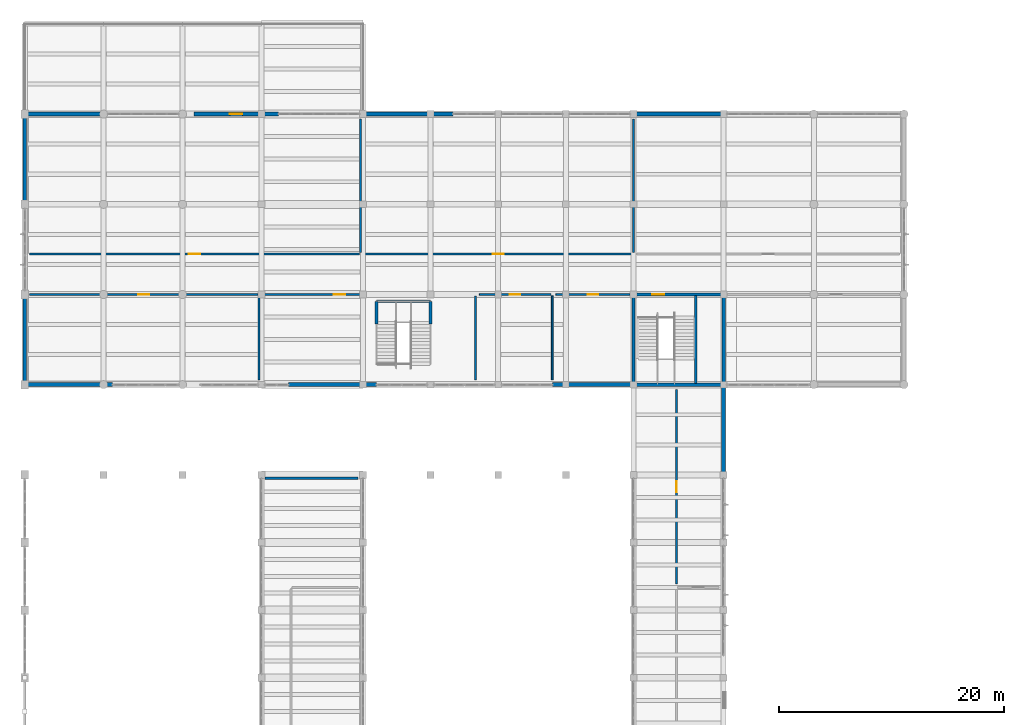
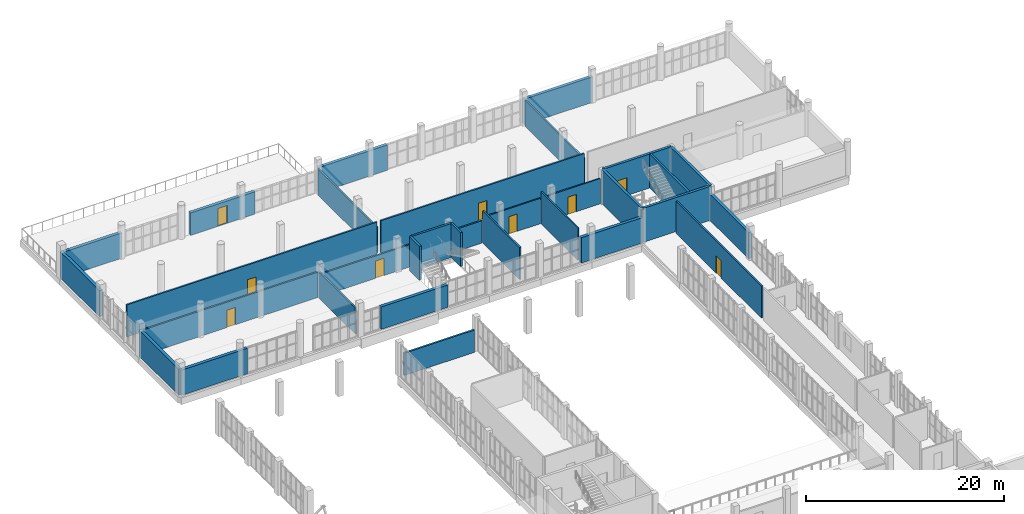
# One storey, part 66 of 85: 31 walls, 9 doors, 9 openings.
"""IFC4 building model written with IfcOpenShell, lengths in metres."""

from ifc_helpers import new_model, si_unit, direction, frame, frame_2d, origin, place, context, subcontext, project, spatial, rectangle, extrude, material, layer, layer_set, type_object, element, fill, save


model = new_model("IFC4")

# Units and contexts
model_context = context("Model", 3, precision=1e-05, world=origin(), true_north=direction((0.0, 1.0)))
body_context = subcontext(model_context, "Body", "Model", "MODEL_VIEW")
ifc_project = project(units=[si_unit("LENGTHUNIT", "METRE"), si_unit("AREAUNIT", "SQUARE_METRE"), si_unit("VOLUMEUNIT", "CUBIC_METRE"), si_unit("PLANEANGLEUNIT", "RADIAN"), si_unit("MASSUNIT", "GRAM", prefix="KILO")], contexts=[model_context])

# Site, building, storey
site_placement = place(None, origin())
site = spatial("IfcSite", under=ifc_project, at=site_placement, CompositionType="ELEMENT")
building_placement = place(site_placement, origin())
building = spatial("IfcBuilding", under=site, at=building_placement, Name="Solvane Community Centre", CompositionType="ELEMENT")
storey_placement = place(building_placement, frame((0.0, 0.0, 5.39990234375)))
storey = spatial("IfcBuildingStorey", under=building, at=storey_placement, Name="L01", CompositionType="ELEMENT", Elevation=5.39990234375)

# Walls
ifc_material_1 = material(Name="Gypsum board partition")
ifc_layer_1 = layer(ifc_material_1, 0.2099609375)
ifc_layer_set_1 = layer_set([ifc_layer_1], Name="Gypsum board partition")
wall_type_1 = type_object("IfcWallType", Name="Acoustic Partition 210mm [83x28dm]", PredefinedType="PARTITIONING", material=ifc_layer_set_1)
wall_1_placement = place(storey_placement, frame((35.580078125, 77.699951171875, 0.0), z_axis=(0.0, 0.0, 1.0), x_axis=(-1.0, 0.0, 0.0)))
element("IfcWall", 1, at=wall_1_placement, inside=storey, type_object=wall_type_1, Name="Interior Wall WL-INT-L01-0245", PredefinedType="PARTITIONING", context=body_context, shape_type="SweptSolid", body=[
    extrude(rectangle(XDim=8.260009765625, YDim=0.2099609375, at=frame_2d((4.1298828125, 0.0))), origin(), (0.0, 0.0, 1.0), 2.76513671875),
])
ifc_material_2 = material(Name="Precast concrete C35/45", Category="concrete")
ifc_layer_2 = layer(ifc_material_2, 0.35009765625)
ifc_layer_set_2 = layer_set([ifc_layer_2], Name="Precast concrete C35/45")
wall_type_2 = type_object("IfcWallType", Name="Art Deco Limestone Cavity Wall 350mm [70x31dm]", PredefinedType="SOLIDWALL", material=ifc_layer_set_2)
wall_2_placement = place(storey_placement, frame((6.0, 110.0, 0.0), z_axis=(0.0, 0.0, 1.0), x_axis=(1.0, 0.0, 0.0)))
element("IfcWall", 2, at=wall_2_placement, inside=storey, type_object=wall_type_2, Name="Exterior Wall WL-EXT-L01-0076", PredefinedType="SOLIDWALL", context=body_context, shape_type="SweptSolid", body=[
    extrude(rectangle(XDim=7.0, YDim=0.35009765625, at=frame_2d((3.5, 0.0))), origin(), (0.0, 0.0, 1.0), 3.135009765625),
])
ifc_layer_3 = layer(ifc_material_2, 0.35009765625)
ifc_layer_set_3 = layer_set([ifc_layer_3], Name="Precast concrete C35/45")
wall_type_3 = type_object("IfcWallType", Name="Art Deco Limestone Cavity Wall 350mm [72x31dm]", PredefinedType="SOLIDWALL", material=ifc_layer_set_3)
wall_3_placement = place(storey_placement, frame((60.0, 86.0, 0.0), z_axis=(0.0, 0.0, 1.0), x_axis=(-1.0, 0.0, 0.0)))
element("IfcWall", 3, at=wall_3_placement, inside=storey, type_object=wall_type_3, Name="Exterior Wall WL-EXT-L01-0084", PredefinedType="SOLIDWALL", context=body_context, shape_type="SweptSolid", body=[
    extrude(rectangle(XDim=7.199951171875, YDim=0.35009765625, at=frame_2d((3.60009765625, 0.0))), origin(), (0.0, 0.0, 1.0), 3.135009765625),
])

# Wall, opening, door
ifc_layer_4 = layer(ifc_material_2, 0.35009765625)
ifc_layer_set_4 = layer_set([ifc_layer_4], Name="Precast concrete C35/45")
wall_type_4 = type_object("IfcWallType", Name="Art Deco Limestone Cavity Wall 350mm [75x28dm]", PredefinedType="SOLIDWALL", material=ifc_layer_set_4)
wall_4_placement = place(storey_placement, frame((21.0, 110.0, 0.0), z_axis=(0.0, 0.0, 1.0), x_axis=(1.0, 0.0, 0.0)))
wall_4 = element("IfcWall", 4, at=wall_4_placement, inside=storey, type_object=wall_type_4, Name="Exterior Wall WL-EXT-L01-0077", PredefinedType="SOLIDWALL", context=body_context, shape_type="SweptSolid", body=[
    extrude(rectangle(XDim=7.5, YDim=0.35009765625, at=frame_2d((3.75, 0.0))), origin(), (0.0, 0.0, 1.0), 2.76513671875),
])
opening_1_placement = place(wall_4_placement, frame((3.199951171875, 0.0, 0.0)))
opening_1 = element("IfcOpeningElement", 5, at=opening_1_placement, cuts=wall_4, Name="Opening D04", PredefinedType="OPENING", context=body_context, shape_type="SweptSolid", body=[
    extrude(rectangle(XDim=1.10009765625, YDim=2.199951171875, at=frame_2d((0.550048828125, 1.10009765625))), frame((0.0, 0.18505859375, 0.0), z_axis=(0.0, -1.0, 0.0), x_axis=(1.0, 0.0, 0.0)), (0.0, 0.0, 1.0), 0.3701171875),
])
ifc_material_3 = material(Name="Anodised bronze aluminium AW-6063 T6", Category="aluminium")
door_type_1 = type_object("IfcDoorType", Name="Glazed Terrace Access Door 1100x2200", OperationType="NOTDEFINED", PredefinedType="DOOR", material=ifc_material_3)
door_1_placement = place(opening_1_placement, origin())
door_1 = element("IfcDoor", 6, at=door_1_placement, inside=storey, type_object=door_type_1, Name="L01-ED28", OperationType="SINGLE_SWING_LEFT", OverallHeight=2.199951171875, OverallWidth=1.10009765625, PredefinedType="DOOR", context=body_context, shape_type="SweptSolid", body=[
    extrude(rectangle(XDim=1.10009765625, YDim=2.199951171875, at=frame_2d((0.550048828125, 1.10009765625))), frame((0.0, 0.02490234375, 0.0), z_axis=(0.0, -1.0, 0.0), x_axis=(1.0, 0.0, 0.0)), (0.0, 0.0, 1.0), 0.050048828125),
])
fill(opening_1, door_1)

# Walls
ifc_layer_5 = layer(ifc_material_2, 0.35009765625)
ifc_layer_set_5 = layer_set([ifc_layer_5], Name="Precast concrete C35/45")
wall_type_5 = type_object("IfcWallType", Name="Art Deco Limestone Cavity Wall 350mm [78x28dm]", PredefinedType="SOLIDWALL", material=ifc_layer_set_5)
wall_5_placement = place(storey_placement, frame((37.199951171875, 86.0, 0.0), z_axis=(0.0, 0.0, 1.0), x_axis=(-1.0, 0.0, 0.0)))
element("IfcWall", 7, at=wall_5_placement, inside=storey, type_object=wall_type_5, Name="Exterior Wall WL-EXT-L01-0085", PredefinedType="SOLIDWALL", context=body_context, shape_type="SweptSolid", body=[
    extrude(rectangle(XDim=7.800048828125, YDim=0.35009765625, at=frame_2d((3.89990234375, 0.0))), origin(), (0.0, 0.0, 1.0), 2.76513671875),
])
ifc_layer_6 = layer(ifc_material_2, 0.35009765625)
ifc_layer_set_6 = layer_set([ifc_layer_6], Name="Precast concrete C35/45")
wall_type_6 = type_object("IfcWallType", Name="Art Deco Limestone Cavity Wall 350mm [78x31dm]", PredefinedType="SOLIDWALL", material=ifc_layer_set_6)
wall_6_placement = place(storey_placement, frame((13.800048828125, 86.0, 0.0), z_axis=(0.0, 0.0, 1.0), x_axis=(-1.0, 0.0, 0.0)))
element("IfcWall", 8, at=wall_6_placement, inside=storey, type_object=wall_type_6, Name="Exterior Wall WL-EXT-L01-0086", PredefinedType="SOLIDWALL", context=body_context, shape_type="SweptSolid", body=[
    extrude(rectangle(XDim=7.800048828125, YDim=0.35009765625, at=frame_2d((3.89990234375, 0.0))), origin(), (0.0, 0.0, 1.0), 3.135009765625),
])
ifc_layer_7 = layer(ifc_material_2, 0.35009765625)
ifc_layer_set_7 = layer_set([ifc_layer_7], Name="Precast concrete C35/45")
wall_type_7 = type_object("IfcWallType", Name="Art Deco Limestone Cavity Wall 350mm [80x31dm]", PredefinedType="SOLIDWALL", material=ifc_layer_set_7)
wall_7_placement = place(storey_placement, frame((36.0, 110.0, 0.0), z_axis=(0.0, 0.0, 1.0), x_axis=(1.0, 0.0, 0.0)))
element("IfcWall", 9, at=wall_7_placement, inside=storey, type_object=wall_type_7, Name="Exterior Wall WL-EXT-L01-0078", PredefinedType="SOLIDWALL", context=body_context, shape_type="SweptSolid", body=[
    extrude(rectangle(XDim=8.0, YDim=0.35009765625, at=frame_2d((4.0, 0.0))), origin(), (0.0, 0.0, 1.0), 3.135009765625),
])
ifc_layer_8 = layer(ifc_material_2, 0.35009765625)
ifc_layer_set_8 = layer_set([ifc_layer_8], Name="Precast concrete C35/45")
wall_type_8 = type_object("IfcWallType", Name="Art Deco Limestone Cavity Wall 350mm [80x32dm]", PredefinedType="SOLIDWALL", material=ifc_layer_set_8)
for number, where, z_axis, x_axis, name in (
    (10, (6.0, 86.0, 0.0), (0.0, 0.0, 1.0), (0.0, 1.0, 0.0), "Exterior Wall WL-EXT-L01-0074"),
    (11, (6.0, 102.0, 0.0), (0.0, 0.0, 1.0), (0.0, 1.0, 0.0), "Exterior Wall WL-EXT-L01-0075"),
):
    element("IfcWall", number, at=place(storey_placement, frame(where, z_axis=z_axis, x_axis=x_axis)), inside=storey, type_object=wall_type_8, Name=name, PredefinedType="SOLIDWALL", context=body_context, shape_type="SweptSolid", body=[
        extrude(rectangle(XDim=8.0, YDim=0.35009765625, at=frame_2d((4.0, 0.0))), origin(), (0.0, 0.0, 1.0), 3.22509765625),
    ])
wall_8_placement = place(storey_placement, frame((60.0, 110.0, 0.0), z_axis=(0.0, 0.0, 1.0), x_axis=(1.0, 0.0, 0.0)))
element("IfcWall", 12, at=wall_8_placement, inside=storey, type_object=wall_type_8, Name="Exterior Wall WL-EXT-L01-0079", PredefinedType="SOLIDWALL", context=body_context, shape_type="SweptSolid", body=[
    extrude(rectangle(XDim=8.0, YDim=0.35009765625, at=frame_2d((4.0, 0.0))), origin(), (0.0, 0.0, 1.0), 3.1650390625),
])
wall_9_placement = place(storey_placement, frame((68.0, 86.0, 0.0), z_axis=(0.0, 0.0, 1.0), x_axis=(0.0, -1.0, 0.0)))
element("IfcWall", 13, at=wall_9_placement, inside=storey, type_object=wall_type_8, Name="Exterior Wall WL-EXT-L01-0087", PredefinedType="SOLIDWALL", context=body_context, shape_type="SweptSolid", body=[
    extrude(rectangle(XDim=8.0, YDim=0.35009765625, at=frame_2d((4.0, 0.0))), origin(), (0.0, 0.0, 1.0), 3.22509765625),
])
ifc_layer_9 = layer(ifc_material_1, 0.179931640625)
ifc_layer_set_9 = layer_set([ifc_layer_9], Name="Gypsum board partition")
wall_type_9 = type_object("IfcWallType", Name="Protected Corridor Wall 180mm [119x32dm]", PredefinedType="PARTITIONING", material=ifc_layer_set_9)
for number, where, z_axis, x_axis, name in (
    (14, (35.800048828125, 97.719970703125, 0.0), (0.0, 0.0, 1.0), (0.0, 1.0, 0.0), "Interior Wall WL-INT-L01-0304"),
    (15, (60.0, 97.719970703125, 0.0), (0.0, 0.0, 1.0), (0.0, 1.0, 0.0), "Interior Wall WL-INT-L01-0306"),
):
    element("IfcWall", number, at=place(storey_placement, frame(where, z_axis=z_axis, x_axis=x_axis)), inside=storey, type_object=wall_type_9, Name=name, PredefinedType="PARTITIONING", context=body_context, shape_type="SweptSolid", body=[
        extrude(rectangle(XDim=11.860107421875, YDim=0.179931640625, at=frame_2d((5.93017578125, 0.0))), origin(), (0.0, 0.0, 1.0), 3.22509765625),
    ])

# Wall, opening, door
ifc_layer_10 = layer(ifc_material_1, 0.179931640625)
ifc_layer_set_10 = layer_set([ifc_layer_10], Name="Gypsum board partition")
wall_type_10 = type_object("IfcWallType", Name="Protected Corridor Wall 180mm [173x40dm]", PredefinedType="PARTITIONING", material=ifc_layer_set_10)
wall_10_placement = place(storey_placement, frame((63.800048828125, 85.580078125, 0.0), z_axis=(0.0, 0.0, 1.0), x_axis=(0.0, -1.0, 0.0)))
wall_10 = element("IfcWall", 16, at=wall_10_placement, inside=storey, type_object=wall_type_10, Name="Interior Wall WL-INT-L01-0256", PredefinedType="PARTITIONING", context=body_context, shape_type="SweptSolid", body=[
    extrude(rectangle(XDim=17.260009765625, YDim=0.179931640625, at=frame_2d((8.6298828125, 0.0))), origin(), (0.0, 0.0, 1.0), 3.97998046875),
])
opening_2_placement = place(wall_10_placement, frame((8.1298828125, 0.0, 0.0)))
opening_2 = element("IfcOpeningElement", 17, at=opening_2_placement, cuts=wall_10, Name="Opening ID01", PredefinedType="OPENING", context=body_context, shape_type="SweptSolid", body=[
    extrude(rectangle(XDim=1.0, YDim=2.14990234375, at=frame_2d((0.5, 1.074951171875))), frame((0.0, 0.099853515625, 0.0), z_axis=(0.0, -1.0, 0.0), x_axis=(1.0, 0.0, 0.0)), (0.0, 0.0, 1.0), 0.199951171875),
])
door_type_2 = type_object("IfcDoorType", Name="Corridor Rated Classroom Door 1000x2150", OperationType="NOTDEFINED", PredefinedType="DOOR", material=ifc_material_3)
door_2_placement = place(opening_2_placement, origin())
door_2 = element("IfcDoor", 18, at=door_2_placement, inside=storey, type_object=door_type_2, Name="L01-D092", OperationType="SINGLE_SWING_RIGHT", OverallHeight=2.14990234375, OverallWidth=1.0, PredefinedType="DOOR", context=body_context, shape_type="SweptSolid", body=[
    extrude(rectangle(XDim=1.0, YDim=2.14990234375, at=frame_2d((0.5, 1.074951171875))), frame((0.0, 0.02490234375, 0.0), z_axis=(0.0, -1.0, 0.0), x_axis=(1.0, 0.0, 0.0)), (0.0, 0.0, 1.0), 0.050048828125),
])
fill(opening_2, door_2)

ifc_layer_11 = layer(ifc_material_1, 0.179931640625)
ifc_layer_set_11 = layer_set([ifc_layer_11], Name="Gypsum board partition")
wall_type_11 = type_object("IfcWallType", Name="Protected Corridor Wall 180mm [188x28dm]", PredefinedType="PARTITIONING", material=ifc_layer_set_11)
wall_11_placement = place(storey_placement, frame((45.8798828125, 94.0, 0.0), z_axis=(0.0, 0.0, 1.0), x_axis=(-1.0, 0.0, 0.0)))
wall_11 = element("IfcWall", 19, at=wall_11_placement, inside=storey, type_object=wall_type_11, Name="Interior Wall WL-INT-L01-0297", PredefinedType="PARTITIONING", context=body_context, shape_type="SweptSolid", body=[
    extrude(rectangle(XDim=18.759765625, YDim=0.179931640625, at=frame_2d((9.3798828125, 0.0))), origin(), (0.0, 0.0, 1.0), 2.76513671875),
])
opening_3_placement = place(wall_11_placement, frame((11.4541015625, 0.0, 0.0)))
opening_3 = element("IfcOpeningElement", 20, at=opening_3_placement, cuts=wall_11, Name="Opening ID01", PredefinedType="OPENING", context=body_context, shape_type="SweptSolid", body=[
    extrude(rectangle(XDim=1.0, YDim=2.14990234375, at=frame_2d((0.5, 1.074951171875))), frame((0.0, 0.099853515625, 0.0), z_axis=(0.0, -1.0, 0.0), x_axis=(1.0, 0.0, 0.0)), (0.0, 0.0, 1.0), 0.199951171875),
])
door_3_placement = place(opening_3_placement, origin())
door_3 = element("IfcDoor", 21, at=door_3_placement, inside=storey, type_object=door_type_2, Name="L01-D111", OperationType="SINGLE_SWING_LEFT", OverallHeight=2.14990234375, OverallWidth=1.0, PredefinedType="DOOR", context=body_context, shape_type="SweptSolid", body=[
    extrude(rectangle(XDim=1.0, YDim=2.14990234375, at=frame_2d((0.5, 1.074951171875))), frame((0.0, 0.02490234375, 0.0), z_axis=(0.0, -1.0, 0.0), x_axis=(1.0, 0.0, 0.0)), (0.0, 0.0, 1.0), 0.050048828125),
])
fill(opening_3, door_3)

ifc_layer_12 = layer(ifc_material_1, 0.179931640625)
ifc_layer_set_12 = layer_set([ifc_layer_12], Name="Gypsum board partition")
wall_type_12 = type_object("IfcWallType", Name="Protected Corridor Wall 180mm [203x31dm]", PredefinedType="PARTITIONING", material=ifc_layer_set_12)
wall_12_placement = place(storey_placement, frame((26.679931640625, 94.0, 0.0), z_axis=(0.0, 0.0, 1.0), x_axis=(-1.0, 0.0, 0.0)))
wall_12 = element("IfcWall", 22, at=wall_12_placement, inside=storey, type_object=wall_type_12, Name="Interior Wall WL-INT-L01-0295", PredefinedType="PARTITIONING", context=body_context, shape_type="SweptSolid", body=[
    extrude(rectangle(XDim=20.260009765625, YDim=0.179931640625, at=frame_2d((10.1298828125, 0.0))), origin(), (0.0, 0.0, 1.0), 3.135009765625),
])
opening_4_placement = place(wall_12_placement, frame((9.6298828125, 0.0, 0.0)))
opening_4 = element("IfcOpeningElement", 23, at=opening_4_placement, cuts=wall_12, Name="Opening ID01", PredefinedType="OPENING", context=body_context, shape_type="SweptSolid", body=[
    extrude(rectangle(XDim=1.0, YDim=2.14990234375, at=frame_2d((0.5, 1.074951171875))), frame((0.0, 0.099853515625, 0.0), z_axis=(0.0, -1.0, 0.0), x_axis=(1.0, 0.0, 0.0)), (0.0, 0.0, 1.0), 0.199951171875),
])
door_4_placement = place(opening_4_placement, origin())
door_4 = element("IfcDoor", 24, at=door_4_placement, inside=storey, type_object=door_type_2, Name="L01-D110", OperationType="SINGLE_SWING_RIGHT", OverallHeight=2.14990234375, OverallWidth=1.0, PredefinedType="DOOR", context=body_context, shape_type="SweptSolid", body=[
    extrude(rectangle(XDim=1.0, YDim=2.14990234375, at=frame_2d((0.5, 1.074951171875))), frame((0.0, 0.02490234375, 0.0), z_axis=(0.0, -1.0, 0.0), x_axis=(1.0, 0.0, 0.0)), (0.0, 0.0, 1.0), 0.050048828125),
])
fill(opening_4, door_4)

ifc_layer_13 = layer(ifc_material_1, 0.179931640625)
ifc_layer_set_13 = layer_set([ifc_layer_13], Name="Gypsum board partition")
wall_type_13 = type_object("IfcWallType", Name="Protected Corridor Wall 180mm [238x40dm]", PredefinedType="PARTITIONING", material=ifc_layer_set_13)
wall_13_placement = place(storey_placement, frame((36.1201171875, 97.60009765625, 0.0), z_axis=(0.0, 0.0, 1.0), x_axis=(1.0, 0.0, 0.0)))
wall_13 = element("IfcWall", 25, at=wall_13_placement, inside=storey, type_object=wall_type_13, Name="Interior Wall WL-INT-L01-0305", PredefinedType="PARTITIONING", context=body_context, shape_type="SweptSolid", body=[
    extrude(rectangle(XDim=23.759765625, YDim=0.179931640625, at=frame_2d((11.8798828125, 0.0))), origin(), (0.0, 0.0, 1.0), 3.97998046875),
])
opening_5_placement = place(wall_13_placement, frame((11.3798828125, 0.0, 0.0)))
opening_5 = element("IfcOpeningElement", 26, at=opening_5_placement, cuts=wall_13, Name="Opening ID01", PredefinedType="OPENING", context=body_context, shape_type="SweptSolid", body=[
    extrude(rectangle(XDim=1.0, YDim=2.14990234375, at=frame_2d((0.5, 1.074951171875))), frame((0.0, 0.099853515625, 0.0), z_axis=(0.0, -1.0, 0.0), x_axis=(1.0, 0.0, 0.0)), (0.0, 0.0, 1.0), 0.199951171875),
])
door_5_placement = place(opening_5_placement, origin())
door_5 = element("IfcDoor", 27, at=door_5_placement, inside=storey, type_object=door_type_2, Name="L01-D116", OperationType="SINGLE_SWING_RIGHT", OverallHeight=2.14990234375, OverallWidth=1.0, PredefinedType="DOOR", context=body_context, shape_type="SweptSolid", body=[
    extrude(rectangle(XDim=1.0, YDim=2.14990234375, at=frame_2d((0.5, 1.074951171875))), frame((0.0, 0.02490234375, 0.0), z_axis=(0.0, -1.0, 0.0), x_axis=(1.0, 0.0, 0.0)), (0.0, 0.0, 1.0), 0.050048828125),
])
fill(opening_5, door_5)

ifc_layer_14 = layer(ifc_material_1, 0.179931640625)
ifc_layer_set_14 = layer_set([ifc_layer_14], Name="Gypsum board partition")
wall_type_14 = type_object("IfcWallType", Name="Protected Corridor Wall 180mm [293x40dm]", PredefinedType="PARTITIONING", material=ifc_layer_set_14)
wall_14_placement = place(storey_placement, frame((6.419921875, 97.60009765625, 0.0), z_axis=(0.0, 0.0, 1.0), x_axis=(1.0, 0.0, 0.0)))
wall_14 = element("IfcWall", 28, at=wall_14_placement, inside=storey, type_object=wall_type_14, Name="Interior Wall WL-INT-L01-0303", PredefinedType="PARTITIONING", context=body_context, shape_type="SweptSolid", body=[
    extrude(rectangle(XDim=29.260009765625, YDim=0.179931640625, at=frame_2d((14.6298828125, 0.0))), origin(), (0.0, 0.0, 1.0), 3.97998046875),
])
opening_6_placement = place(wall_14_placement, frame((14.1298828125, 0.0, 0.0)))
opening_6 = element("IfcOpeningElement", 29, at=opening_6_placement, cuts=wall_14, Name="Opening ID01", PredefinedType="OPENING", context=body_context, shape_type="SweptSolid", body=[
    extrude(rectangle(XDim=1.0, YDim=2.14990234375, at=frame_2d((0.5, 1.074951171875))), frame((0.0, 0.099853515625, 0.0), z_axis=(0.0, -1.0, 0.0), x_axis=(1.0, 0.0, 0.0)), (0.0, 0.0, 1.0), 0.199951171875),
])
door_6_placement = place(opening_6_placement, origin())
door_6 = element("IfcDoor", 30, at=door_6_placement, inside=storey, type_object=door_type_2, Name="L01-D115", OperationType="SINGLE_SWING_LEFT", OverallHeight=2.14990234375, OverallWidth=1.0, PredefinedType="DOOR", context=body_context, shape_type="SweptSolid", body=[
    extrude(rectangle(XDim=1.0, YDim=2.14990234375, at=frame_2d((0.5, 1.074951171875))), frame((0.0, 0.02490234375, 0.0), z_axis=(0.0, -1.0, 0.0), x_axis=(1.0, 0.0, 0.0)), (0.0, 0.0, 1.0), 0.050048828125),
])
fill(opening_6, door_6)

# Walls
ifc_layer_15 = layer(ifc_material_1, 0.179931640625)
ifc_layer_set_15 = layer_set([ifc_layer_15], Name="Gypsum board partition")
wall_type_15 = type_object("IfcWallType", Name="Protected Corridor Wall 180mm [75x32dm]", PredefinedType="PARTITIONING", material=ifc_layer_set_15)
wall_15_placement = place(storey_placement, frame((26.800048828125, 86.419921875, 0.0), z_axis=(0.0, 0.0, 1.0), x_axis=(0.0, 1.0, 0.0)))
element("IfcWall", 31, at=wall_15_placement, inside=storey, type_object=wall_type_15, Name="Interior Wall WL-INT-L01-0296", PredefinedType="PARTITIONING", context=body_context, shape_type="SweptSolid", body=[
    extrude(rectangle(XDim=7.4599609375, YDim=0.179931640625, at=frame_2d((3.72998046875, 0.0))), origin(), (0.0, 0.0, 1.0), 3.22509765625),
])
ifc_layer_16 = layer(ifc_material_1, 0.179931640625)
ifc_layer_set_16 = layer_set([ifc_layer_16], Name="Gypsum board partition")
wall_type_16 = type_object("IfcWallType", Name="Protected Corridor Wall 180mm [75x40dm]", PredefinedType="PARTITIONING", material=ifc_layer_set_16)
wall_16_placement = place(storey_placement, frame((46.0, 86.419921875, 0.0), z_axis=(0.0, 0.0, 1.0), x_axis=(0.0, 1.0, 0.0)))
element("IfcWall", 32, at=wall_16_placement, inside=storey, type_object=wall_type_16, Name="Interior Wall WL-INT-L01-0298", PredefinedType="PARTITIONING", context=body_context, shape_type="SweptSolid", body=[
    extrude(rectangle(XDim=7.4599609375, YDim=0.179931640625, at=frame_2d((3.72998046875, 0.0))), origin(), (0.0, 0.0, 1.0), 3.97998046875),
])
ifc_material_4 = material(Name="Concrete C35/45", Category="concrete")
ifc_layer_17 = layer(ifc_material_4, 0.300048828125)
ifc_layer_set_17 = layer_set([ifc_layer_17], Name="Concrete C35/45")
wall_type_17 = type_object("IfcWallType", Name="RC Core Shear Wall 300mm [80x42dm]", PredefinedType="SHEAR", material=ifc_layer_set_17)
wall_17_placement = place(storey_placement, frame((60.0, 86.0, 0.0), z_axis=(0.0, 0.0, 1.0), x_axis=(0.0, 1.0, 0.0)))
element("IfcWall", 33, at=wall_17_placement, inside=storey, type_object=wall_type_17, Name="Interior Wall WL-INT-L01-0127", PredefinedType="SHEAR", context=body_context, shape_type="SweptSolid", body=[
    extrude(rectangle(XDim=8.0, YDim=0.300048828125, at=frame_2d((4.0, 0.0))), origin(), (0.0, 0.0, 1.0), 4.2001953125),
])

# Wall, opening, door
wall_18_placement = place(storey_placement, frame((60.0, 94.0, 0.0), z_axis=(0.0, 0.0, 1.0), x_axis=(1.0, 0.0, 0.0)))
wall_18 = element("IfcWall", 34, at=wall_18_placement, inside=storey, type_object=wall_type_17, Name="Interior Wall WL-INT-L01-0128", PredefinedType="SHEAR", context=body_context, shape_type="SweptSolid", body=[
    extrude(rectangle(XDim=8.0, YDim=0.300048828125, at=frame_2d((4.0, 0.0))), origin(), (0.0, 0.0, 1.0), 4.2001953125),
])
opening_7_placement = place(wall_18_placement, frame((1.64990234375, 0.0, 0.0)))
opening_7 = element("IfcOpeningElement", 35, at=opening_7_placement, cuts=wall_18, Name="Opening SD02", PredefinedType="OPENING", context=body_context, shape_type="SweptSolid", body=[
    extrude(rectangle(XDim=1.10009765625, YDim=2.199951171875, at=frame_2d((0.550048828125, 1.10009765625))), frame((0.0, 0.159912109375, 0.0), z_axis=(0.0, -1.0, 0.0), x_axis=(1.0, 0.0, 0.0)), (0.0, 0.0, 1.0), 0.320068359375),
])
door_type_3 = type_object("IfcDoorType", Name="Core Stair Fire Door 1100x2200", OperationType="NOTDEFINED", PredefinedType="DOOR", material=ifc_material_3)
door_7_placement = place(opening_7_placement, origin())
door_7 = element("IfcDoor", 36, at=door_7_placement, inside=storey, type_object=door_type_3, Name="L01-D046", OperationType="SINGLE_SWING_RIGHT", OverallHeight=2.199951171875, OverallWidth=1.10009765625, PredefinedType="DOOR", context=body_context, shape_type="SweptSolid", body=[
    extrude(rectangle(XDim=1.10009765625, YDim=2.199951171875, at=frame_2d((0.550048828125, 1.10009765625))), frame((0.0, 0.02490234375, 0.0), z_axis=(0.0, -1.0, 0.0), x_axis=(1.0, 0.0, 0.0)), (0.0, 0.0, 1.0), 0.050048828125),
])
fill(opening_7, door_7)

# Walls
wall_19_placement = place(storey_placement, frame((68.0, 94.0, 0.0), z_axis=(0.0, 0.0, 1.0), x_axis=(0.0, -1.0, 0.0)))
element("IfcWall", 37, at=wall_19_placement, inside=storey, type_object=wall_type_17, Name="Interior Wall WL-INT-L01-0129", PredefinedType="SHEAR", context=body_context, shape_type="SweptSolid", body=[
    extrude(rectangle(XDim=8.0, YDim=0.300048828125, at=frame_2d((4.0, 0.0))), origin(), (0.0, 0.0, 1.0), 4.2001953125),
])
ifc_layer_18 = layer(ifc_material_4, 0.300048828125)
ifc_layer_set_18 = layer_set([ifc_layer_18], Name="Concrete C35/45")
wall_type_18 = type_object("IfcWallType", Name="RC Exterior Core Strip Wall 300mm [80x32dm]", PredefinedType="SOLIDWALL", material=ifc_layer_set_18)
wall_20_placement = place(storey_placement, frame((68.0, 86.0, 0.0), z_axis=(0.0, 0.0, 1.0), x_axis=(-1.0, 0.0, 0.0)))
element("IfcWall", 38, at=wall_20_placement, inside=storey, type_object=wall_type_18, Name="Exterior Wall WL-EXT-L01-0083", PredefinedType="SOLIDWALL", context=body_context, shape_type="SweptSolid", body=[
    extrude(rectangle(XDim=8.0, YDim=0.300048828125, at=frame_2d((4.0, 0.0))), origin(), (0.0, 0.0, 1.0), 4.2001953125),
])
ifc_layer_19 = layer(ifc_material_4, 0.25)
ifc_layer_set_19 = layer_set([ifc_layer_19], Name="Concrete C35/45")
wall_type_19 = type_object("IfcWallType", Name="RC Lift Shaft Wall 250mm [20x42dm]", PredefinedType="SHEAR", material=ifc_layer_set_19)
for number, where, z_axis, x_axis, name in (
    (39, (37.199951171875, 91.39990234375, 0.0), (0.0, 0.0, 1.0), (0.0, 1.0, 0.0), "Interior Wall WL-INT-L01-0152"),
    (40, (42.0, 93.39990234375, 0.0), (0.0, 0.0, 1.0), (0.0, -1.0, 0.0), "Interior Wall WL-INT-L01-0154"),
):
    element("IfcWall", number, at=place(storey_placement, frame(where, z_axis=z_axis, x_axis=x_axis)), inside=storey, type_object=wall_type_19, Name=name, PredefinedType="SHEAR", context=body_context, shape_type="SweptSolid", body=[
        extrude(rectangle(XDim=2.0, YDim=0.25, at=frame_2d((1.0, 0.0))), origin(), (0.0, 0.0, 1.0), 4.2001953125),
    ])
ifc_layer_20 = layer(ifc_material_4, 0.25)
ifc_layer_set_20 = layer_set([ifc_layer_20], Name="Concrete C35/45")
wall_type_20 = type_object("IfcWallType", Name="RC Lift Shaft Wall 250mm [48x42dm]", PredefinedType="SHEAR", material=ifc_layer_set_20)
wall_21_placement = place(storey_placement, frame((37.199951171875, 93.39990234375, 0.0), z_axis=(0.0, 0.0, 1.0), x_axis=(1.0, 0.0, 0.0)))
element("IfcWall", 41, at=wall_21_placement, inside=storey, type_object=wall_type_20, Name="Interior Wall WL-INT-L01-0153", PredefinedType="SHEAR", context=body_context, shape_type="SweptSolid", body=[
    extrude(rectangle(XDim=4.800048828125, YDim=0.25, at=frame_2d((2.39990234375, 0.0))), origin(), (0.0, 0.0, 1.0), 4.2001953125),
])
ifc_layer_21 = layer(ifc_material_4, 0.25)
ifc_layer_set_21 = layer_set([ifc_layer_21], Name="Concrete C35/45")
wall_type_21 = type_object("IfcWallType", Name="RC Lift Shaft Wall 250mm [78x42dm]", PredefinedType="SHEAR", material=ifc_layer_set_21)
wall_22_placement = place(storey_placement, frame((65.52001953125, 86.10009765625, 0.0), z_axis=(0.0, 0.0, 1.0), x_axis=(0.0, 1.0, 0.0)))
element("IfcWall", 42, at=wall_22_placement, inside=storey, type_object=wall_type_21, Name="Interior Wall WL-INT-L01-0130", PredefinedType="SHEAR", context=body_context, shape_type="SweptSolid", body=[
    extrude(rectangle(XDim=7.7998046875, YDim=0.25, at=frame_2d((3.89990234375, 0.0))), origin(), (0.0, 0.0, 1.0), 4.2001953125),
])

# Wall, opening, door
ifc_layer_22 = layer(ifc_material_1, 0.159912109375)
ifc_layer_set_22 = layer_set([ifc_layer_22], Name="Gypsum board partition")
wall_type_22 = type_object("IfcWallType", Name="Sanitary Plumbing Chase Wall 160mm [64x31dm]", PredefinedType="PLUMBINGWALL", material=ifc_layer_set_22)
wall_23_placement = place(storey_placement, frame((52.679931640625, 94.0, 0.0), z_axis=(0.0, 0.0, 1.0), x_axis=(-1.0, 0.0, 0.0)))
wall_23 = element("IfcWall", 43, at=wall_23_placement, inside=storey, type_object=wall_type_22, Name="Interior Wall WL-INT-L01-0299", PredefinedType="PLUMBINGWALL", context=body_context, shape_type="SweptSolid", body=[
    extrude(rectangle(XDim=6.35986328125, YDim=0.159912109375, at=frame_2d((3.179931640625, 0.0))), origin(), (0.0, 0.0, 1.0), 3.135009765625),
])
opening_8_placement = place(wall_23_placement, frame((2.705078125, 0.0, 0.0)))
opening_8 = element("IfcOpeningElement", 44, at=opening_8_placement, cuts=wall_23, Name="Opening ID03", PredefinedType="OPENING", context=body_context, shape_type="SweptSolid", body=[
    extrude(rectangle(XDim=0.949951171875, YDim=2.14990234375, at=frame_2d((0.47509765625, 1.074951171875))), frame((0.0, 0.08984375, 0.0), z_axis=(0.0, -1.0, 0.0), x_axis=(1.0, 0.0, 0.0)), (0.0, 0.0, 1.0), 0.179931640625),
])
door_type_4 = type_object("IfcDoorType", Name="Accessible Sanitary Door 950x2150", OperationType="NOTDEFINED", PredefinedType="DOOR", material=ifc_material_3)
door_8_placement = place(opening_8_placement, origin())
door_8 = element("IfcDoor", 45, at=door_8_placement, inside=storey, type_object=door_type_4, Name="L01-D112", OperationType="SINGLE_SWING_RIGHT", OverallHeight=2.14990234375, OverallWidth=0.949951171875, PredefinedType="DOOR", context=body_context, shape_type="SweptSolid", body=[
    extrude(rectangle(XDim=0.949951171875, YDim=2.14990234375, at=frame_2d((0.47509765625, 1.074951171875))), frame((0.0, 0.02490234375, 0.0), z_axis=(0.0, -1.0, 0.0), x_axis=(1.0, 0.0, 0.0)), (0.0, 0.0, 1.0), 0.050048828125),
])
fill(opening_8, door_8)

ifc_layer_23 = layer(ifc_material_1, 0.159912109375)
ifc_layer_set_23 = layer_set([ifc_layer_23], Name="Gypsum board partition")
wall_type_23 = type_object("IfcWallType", Name="Sanitary Plumbing Chase Wall 160mm [66x31dm]", PredefinedType="PLUMBINGWALL", material=ifc_layer_set_23)
wall_24_placement = place(storey_placement, frame((59.679931640625, 94.0, 0.0), z_axis=(0.0, 0.0, 1.0), x_axis=(-1.0, 0.0, 0.0)))
wall_24 = element("IfcWall", 46, at=wall_24_placement, inside=storey, type_object=wall_type_23, Name="Interior Wall WL-INT-L01-0301", PredefinedType="PLUMBINGWALL", context=body_context, shape_type="SweptSolid", body=[
    extrude(rectangle(XDim=6.559814453125, YDim=0.159912109375, at=frame_2d((3.27978515625, 0.0))), origin(), (0.0, 0.0, 1.0), 3.135009765625),
])
opening_9_placement = place(wall_24_placement, frame((2.804931640625, 0.0, 0.0)))
opening_9 = element("IfcOpeningElement", 47, at=opening_9_placement, cuts=wall_24, Name="Opening ID03", PredefinedType="OPENING", context=body_context, shape_type="SweptSolid", body=[
    extrude(rectangle(XDim=0.949951171875, YDim=2.14990234375, at=frame_2d((0.47509765625, 1.074951171875))), frame((0.0, 0.08984375, 0.0), z_axis=(0.0, -1.0, 0.0), x_axis=(1.0, 0.0, 0.0)), (0.0, 0.0, 1.0), 0.179931640625),
])
door_9_placement = place(opening_9_placement, origin())
door_9 = element("IfcDoor", 48, at=door_9_placement, inside=storey, type_object=door_type_4, Name="L01-D113", OperationType="SINGLE_SWING_LEFT", OverallHeight=2.14990234375, OverallWidth=0.949951171875, PredefinedType="DOOR", context=body_context, shape_type="SweptSolid", body=[
    extrude(rectangle(XDim=0.949951171875, YDim=2.14990234375, at=frame_2d((0.47509765625, 1.074951171875))), frame((0.0, 0.02490234375, 0.0), z_axis=(0.0, -1.0, 0.0), x_axis=(1.0, 0.0, 0.0)), (0.0, 0.0, 1.0), 0.050048828125),
])
fill(opening_9, door_9)

# Wall
ifc_layer_24 = layer(ifc_material_1, 0.159912109375)
ifc_layer_set_24 = layer_set([ifc_layer_24], Name="Gypsum board partition")
wall_type_24 = type_object("IfcWallType", Name="Sanitary Plumbing Chase Wall 160mm [75x40dm]", PredefinedType="PLUMBINGWALL", material=ifc_layer_set_24)
wall_25_placement = place(storey_placement, frame((52.800048828125, 86.419921875, 0.0), z_axis=(0.0, 0.0, 1.0), x_axis=(0.0, 1.0, 0.0)))
element("IfcWall", 49, at=wall_25_placement, inside=storey, type_object=wall_type_24, Name="Interior Wall WL-INT-L01-0300", PredefinedType="PLUMBINGWALL", context=body_context, shape_type="SweptSolid", body=[
    extrude(rectangle(XDim=7.4599609375, YDim=0.159912109375, at=frame_2d((3.72998046875, 0.0))), origin(), (0.0, 0.0, 1.0), 3.97998046875),
])

save(model, "model.ifc")
